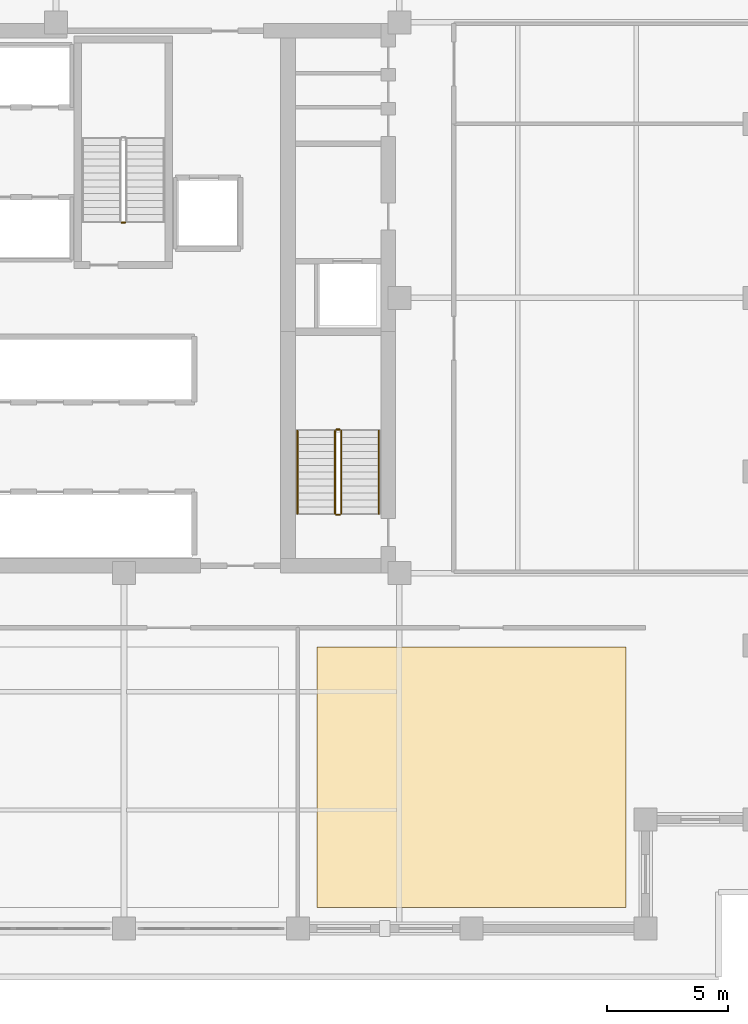
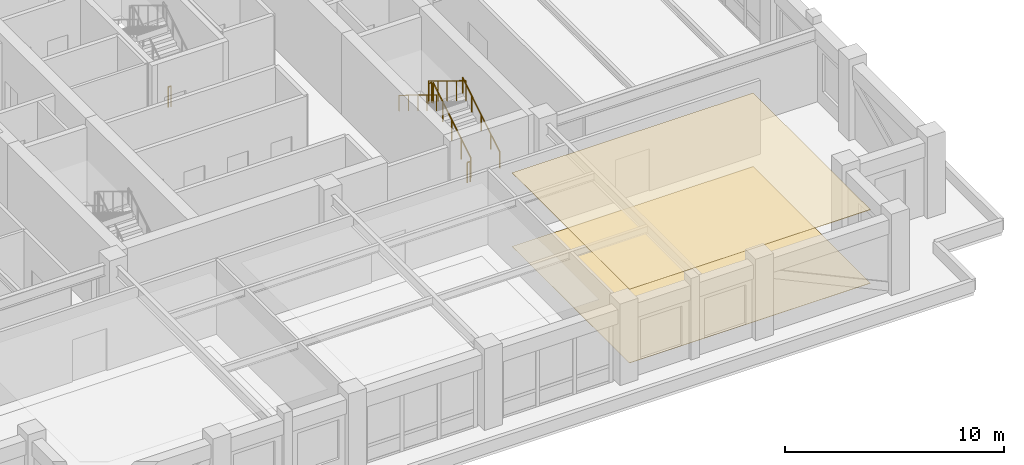
# One storey, part 14 of 16: 7 railings, 2 coverings.
"""IFC4 building model written with IfcOpenShell, lengths in metres."""

import ifcopenshell
import ifcopenshell.guid

model = None  # the IFC model being written
_history = None  # IfcOwnerHistory: only IFC2X3 demands one
_inside = {}  # id of a spatial element -> (the spatial element, [elements in it])
_under = {}  # id of a project, library or spatial element -> (it, [spatial elements below it])
_declared = {}  # id of a project -> (the project, [libraries it declares])
_typed = {}  # id of a type object -> (the type object, [elements of that type])
_made_of = {}  # id of a material, layer set ... -> (it, [elements and type objects made of it])


def new_model(schema):
    """Start an empty IFC model of exactly this schema.

    Asked for "IFC4X3", IfcOpenShell would pick the latest addendum, in which some entities
    have other attributes; the version numbers below select the first issue.
    IFC2X3 requires an IfcOwnerHistory on every rooted entity: one is made here for all.
    """
    global model, _history
    if schema == "IFC4X3":
        model = ifcopenshell.file(schema_version=(4, 3, 0, 0))
    else:
        model = ifcopenshell.file(schema=schema)
    _inside.clear()
    _under.clear()
    _declared.clear()
    _typed.clear()
    _made_of.clear()
    _history = None
    if model.schema == "IFC2X3":
        org = make("IfcOrganization", Name="unknown")
        user = make(
            "IfcPersonAndOrganization",
            ThePerson=make("IfcPerson", FamilyName="unknown"),
            TheOrganization=org,
        )
        app = make(
            "IfcApplication",
            ApplicationDeveloper=org,
            Version="unknown",
            ApplicationFullName="unknown",
            ApplicationIdentifier="unknown",
        )
        _history = make(
            "IfcOwnerHistory",
            OwningUser=user,
            OwningApplication=app,
            ChangeAction="ADDED",
            CreationDate=0,
        )
    return model


def make(cls, **values):
    """One entity of the class cls with the attributes given. An attribute that is None is left unset."""
    return model.create_entity(
        cls, **{name: value for name, value in values.items() if value is not None}
    )


def rooted(cls, **values):
    """An entity with a GlobalId (a new one), such as an element, a storey or a relation."""
    return make(cls, GlobalId=ifcopenshell.guid.new(), OwnerHistory=_history, **values)


def si_unit(unit_type, name, prefix=None):
    """IfcSIUnit, for example si_unit("LENGTHUNIT", "METRE", prefix="MILLI")."""
    return make("IfcSIUnit", UnitType=unit_type, Prefix=prefix, Name=name)


def assignment(units):
    """IfcUnitAssignment: the units of a project."""
    return None if units is None else make("IfcUnitAssignment", Units=units)


def point(xyz):
    """IfcCartesianPoint."""
    return None if xyz is None else make("IfcCartesianPoint", Coordinates=xyz)


def direction(xyz):
    """IfcDirection."""
    return None if xyz is None else make("IfcDirection", DirectionRatios=xyz)


def frame(location, z_axis=None, x_axis=None):
    """IfcAxis2Placement3D, a coordinate frame: its origin and axes. An axis left out is left unset."""
    return make(
        "IfcAxis2Placement3D",
        Location=point(location),
        Axis=direction(z_axis),
        RefDirection=direction(x_axis),
    )


def frame_2d(location, x_axis=None):
    """IfcAxis2Placement2D, a coordinate frame in the plane: its origin and x axis."""
    return make(
        "IfcAxis2Placement2D", Location=point(location), RefDirection=direction(x_axis)
    )


def origin():
    """The frame at (0, 0, 0) with its axes left unset."""
    return frame((0.0, 0.0, 0.0))


def origin_2d():
    """The frame at (0, 0) in the plane with its x axis left unset."""
    return frame_2d((0.0, 0.0))


def place(relative_to, where):
    """IfcLocalPlacement: puts the frame where relative to a parent placement (None: the world)."""
    return make(
        "IfcLocalPlacement", PlacementRelTo=relative_to, RelativePlacement=where
    )


def context(
    kind, dimensions, precision=None, world=None, true_north=None, identifier=None
):
    """IfcGeometricRepresentationContext, for example the 3D "Model" context."""
    return make(
        "IfcGeometricRepresentationContext",
        ContextIdentifier=identifier,
        ContextType=kind,
        CoordinateSpaceDimension=dimensions,
        Precision=precision,
        WorldCoordinateSystem=world,
        TrueNorth=true_north,
    )


def subcontext(parent, identifier, kind, view, scale=None):
    """IfcGeometricRepresentationSubContext, for example "Body" below "Model"."""
    return make(
        "IfcGeometricRepresentationSubContext",
        ContextIdentifier=identifier,
        ContextType=kind,
        ParentContext=parent,
        TargetScale=scale,
        TargetView=view,
    )


def project(units=None, contexts=None):
    """IfcProject with its units and contexts."""
    return rooted(
        "IfcProject",
        Name="project",
        RepresentationContexts=contexts,
        UnitsInContext=assignment(units),
    )


def spatial(cls, under=None, at=None, **own):
    """A site, building, storey or space (cls), placed at a placement, below another one or the project."""
    s = rooted(cls, ObjectPlacement=at, **own)
    if under is not None:
        _under.setdefault(under.id(), (under, []))[1].append(s)
    return s


def polyline(points):
    """IfcPolyline through the points."""
    return make("IfcPolyline", Points=[point(p) for p in points])


def profile(cls, at=None, kind="AREA", **sizes):
    """A parametric profile (cls). Its sizes go by their IFC names, for example OverallWidth=200.0."""
    return make(cls, ProfileType=kind, Position=at, **sizes)


def circle(**sizes):
    """IfcCircleProfileDef."""
    return profile("IfcCircleProfileDef", **sizes)


def outline(outer, holes=None, kind="AREA"):
    """IfcArbitraryClosedProfileDef: a profile drawn as a closed curve; with holes, ...WithVoids."""
    if holes is None:
        return make("IfcArbitraryClosedProfileDef", ProfileType=kind, OuterCurve=outer)
    return make(
        "IfcArbitraryProfileDefWithVoids",
        ProfileType=kind,
        OuterCurve=outer,
        InnerCurves=holes,
    )


def extrude(swept, where, along, depth):
    """IfcExtrudedAreaSolid: the profile swept, set in the frame where, extruded along a direction by depth."""
    return make(
        "IfcExtrudedAreaSolid",
        SweptArea=swept,
        Position=where,
        ExtrudedDirection=direction(along),
        Depth=depth,
    )


def shape(context_of_items, identifier, shape_type, items):
    """IfcShapeRepresentation: the items that make up one representation, for example the "Body"."""
    return make(
        "IfcShapeRepresentation",
        ContextOfItems=context_of_items,
        RepresentationIdentifier=identifier,
        RepresentationType=shape_type,
        Items=items,
    )


def material(Name=None, Category=None):
    """IfcMaterial."""
    return make("IfcMaterial", Name=Name, Category=Category)


def layer(
    of_material, thickness, ventilated=None, Name=None, Category=None, Priority=None
):
    """IfcMaterialLayer: one layer of a wall or slab, of a material (None: an air gap)."""
    return make(
        "IfcMaterialLayer",
        Material=of_material,
        LayerThickness=thickness,
        IsVentilated=ventilated,
        Name=Name,
        Category=Category,
        Priority=Priority,
    )


def layer_set(layers, Name=None):
    """IfcMaterialLayerSet."""
    return make("IfcMaterialLayerSet", MaterialLayers=layers, LayerSetName=Name)


def made_of(thing, what):
    """Note that an element or type object is made of a material, layer set ...; save() writes the relation."""
    if what is not None:
        _made_of.setdefault(what.id(), (what, []))[1].append(thing)
    return thing


def type_object(cls, material=None, **own):
    """A type object (cls), such as IfcWallType, which elements share."""
    return made_of(rooted(cls, **own), material)


def element(
    cls,
    number,
    at=None,
    inside=None,
    cuts=None,
    type_object=None,
    material=None,
    context=None,
    identifier="Body",
    shape_type=None,
    held_by="IfcProductDefinitionShape",
    body=None,
    shapes=None,
    **own,
):
    """One element of the class cls, such as IfcWall. Its Tag is "e" and its number.

    at: its placement. inside: the storey or other place that contains it. cuts: it is an
    opening in that element (IfcRelVoidsElement). A single representation is given by context,
    identifier, shape_type and body (its items); several are given by shapes. held_by: the class
    of the entity that holds the representations. save() writes the other relations.
    """
    e = rooted(cls, Tag="e%d" % number, ObjectPlacement=at, **own)
    if body is not None:
        shapes = [shape(context, identifier, shape_type, body)]
    if shapes is not None:
        e.Representation = make(held_by, Representations=shapes)
    if inside is not None:
        _inside.setdefault(inside.id(), (inside, []))[1].append(e)
    if cuts is not None:
        rooted(
            "IfcRelVoidsElement", RelatingBuildingElement=cuts, RelatedOpeningElement=e
        )
    if type_object is not None:
        _typed.setdefault(type_object.id(), (type_object, []))[1].append(e)
    return made_of(e, material)


def aggregate(whole, parts):
    """IfcRelAggregates: a whole, such as a stair, and the parts it consists of."""
    return rooted("IfcRelAggregates", RelatingObject=whole, RelatedObjects=parts)


def save(model, path):
    """Write the relations noted so far, then the file.

    IfcRelAggregates (storeys below a building ...), IfcRelContainedInSpatialStructure (elements
    in a storey), IfcRelDefinesByType, IfcRelAssociatesMaterial and IfcRelDeclares: one each for
    every whole, place, type object, material and project.
    """
    for whole, parts in _under.values():
        aggregate(whole, parts)
    for where, things in _inside.values():
        rooted(
            "IfcRelContainedInSpatialStructure",
            RelatedElements=things,
            RelatingStructure=where,
        )
    for kind, things in _typed.values():
        rooted("IfcRelDefinesByType", RelatedObjects=things, RelatingType=kind)
    for what, things in _made_of.values():
        rooted("IfcRelAssociatesMaterial", RelatedObjects=things, RelatingMaterial=what)
    for by, libraries in _declared.values():
        rooted("IfcRelDeclares", RelatingContext=by, RelatedDefinitions=libraries)
    model.write(path)


model = new_model("IFC4")

# Units and contexts
model_context = context("Model", 3, precision=1e-05, world=origin(), true_north=direction((0.0, 1.0)))
body_context = subcontext(model_context, "Body", "Model", "MODEL_VIEW")
ifc_project = project(units=[si_unit("LENGTHUNIT", "METRE"), si_unit("AREAUNIT", "SQUARE_METRE"), si_unit("VOLUMEUNIT", "CUBIC_METRE"), si_unit("PLANEANGLEUNIT", "RADIAN"), si_unit("MASSUNIT", "GRAM", prefix="KILO")], contexts=[model_context])

# Site, building, storey
site_placement = place(None, origin())
site = spatial("IfcSite", under=ifc_project, at=site_placement, CompositionType="ELEMENT")
building_placement = place(site_placement, origin())
building = spatial("IfcBuilding", under=site, at=building_placement, Name="Nhamokura Convention Tower", CompositionType="ELEMENT")
storey_placement = place(building_placement, frame((0.0, 0.0, 106.050048828125)))
storey = spatial("IfcBuildingStorey", under=building, at=storey_placement, Name="L25", CompositionType="ELEMENT", Elevation=106.050048828125)

# Covering
ifc_material_1 = material(Name="Mineral-fibre acoustic ceiling tile", Category="gypsum")
ifc_layer_1 = layer(ifc_material_1, 0.02490234375)
ifc_layer_set_1 = layer_set([ifc_layer_1], Name="AcousticTileCeiling_25")
covering_type_1 = type_object("IfcCoveringType", Name="AcousticTileCeiling_25", PredefinedType="CEILING", material=ifc_layer_set_1)
covering_1_placement = place(storey_placement, frame((0.0, 0.0, 4.10498046875)))
element("IfcCovering", 1, at=covering_1_placement, inside=storey, type_object=covering_type_1, Name="L25 Suspended Ceiling 03", PredefinedType="CEILING", context=body_context, shape_type="SweptSolid", body=[
    extrude(outline(polyline([(39.966796875, 6.860107421875), (52.699951171875, 6.860107421875), (52.699951171875, 17.60009765625), (39.966796875, 17.60009765625), (39.966796875, 6.860107421875)])), origin(), (0.0, 0.0, 1.0), 0.02490234375),
])

# Railings
ifc_material_2 = material(Name="Anodised bronze stainless steel", Category="steel")
railing_type_1 = type_object("IfcRailingType", Name="StairWallHandrail_900", PredefinedType="HANDRAIL", material=ifc_material_2)
railing_1_placement = place(storey_placement, frame((42.5, 23.10009765625, 0.175048828125)))
element("IfcRailing", 2, at=railing_1_placement, inside=storey, type_object=railing_type_1, Name="L25 ST-02 stair handrail 1", PredefinedType="HANDRAIL", context=body_context, shape_type="SweptSolid", body=[
    extrude(circle(Radius=0.02392578125, at=origin_2d()), frame((0.0, 0.0, 0.8759765625), z_axis=(0.0, 0.852182171552, 0.523245206847), x_axis=(-1.0, 0.0, 0.0)), (0.0, 0.0, 1.0), 4.01318359375),
    extrude(circle(Radius=0.02099609375, at=origin_2d()), origin(), (0.0, 0.0, 1.0), 0.851806640625),
    extrude(circle(Radius=0.02099609375, at=origin_2d()), frame((0.0, 0.85498046875, 0.52490234375)), (0.0, 0.0, 1.0), 0.851806640625),
    extrude(circle(Radius=0.02099609375, at=origin_2d()), frame((0.0, 1.7099609375, 1.0498046875)), (0.0, 0.0, 1.0), 0.851806640625),
    extrude(circle(Radius=0.02099609375, at=origin_2d()), frame((0.0, 2.56494140625, 1.574951171875)), (0.0, 0.0, 1.0), 0.851806640625),
    extrude(circle(Radius=0.02099609375, at=origin_2d()), frame((0.0, 3.419921875, 2.099853515625)), (0.0, 0.0, 1.0), 0.851806640625),
])
railing_2_placement = place(storey_placement, frame((39.14990234375, 26.52001953125, 2.449951171875)))
element("IfcRailing", 3, at=railing_2_placement, inside=storey, type_object=railing_type_1, Name="L25 ST-02 stair handrail 2", PredefinedType="HANDRAIL", context=body_context, shape_type="SweptSolid", body=[
    extrude(circle(Radius=0.02392578125, at=origin_2d()), frame((0.0, 0.0, 0.8759765625), z_axis=(0.0, -0.852155044755, 0.523289384279), x_axis=(1.0, 0.0, 0.0)), (0.0, 0.0, 1.0), 4.01318359375),
    extrude(circle(Radius=0.02099609375, at=origin_2d()), origin(), (0.0, 0.0, 1.0), 0.851806640625),
    extrude(circle(Radius=0.02099609375, at=origin_2d()), frame((0.0, -0.85498046875, 0.52490234375)), (0.0, 0.0, 1.0), 0.851806640625),
    extrude(circle(Radius=0.02099609375, at=origin_2d()), frame((0.0, -1.7099609375, 1.050048828125)), (0.0, 0.0, 1.0), 0.851806640625),
    extrude(circle(Radius=0.02099609375, at=origin_2d()), frame((0.0, -2.56494140625, 1.5751953125)), (0.0, 0.0, 1.0), 0.851806640625),
    extrude(circle(Radius=0.02099609375, at=origin_2d()), frame((0.0, -3.419921875, 2.10009765625)), (0.0, 0.0, 1.0), 0.851806640625),
])
ifc_material_3 = material(Name="Painted tubular steel", Category="steel")
railing_type_2 = type_object("IfcRailingType", Name="StairWellGuardrail_1150", PredefinedType="GUARDRAIL", material=ifc_material_3)
railing_3_placement = place(storey_placement, frame((40.949951171875, 23.10009765625, 0.175048828125)))
element("IfcRailing", 4, at=railing_3_placement, inside=storey, type_object=railing_type_2, Name="L25 ST-02 stair guard 1", PredefinedType="GUARDRAIL", context=body_context, shape_type="SweptSolid", body=[
    extrude(circle(Radius=0.02392578125, at=origin_2d()), frame((0.0, 0.0, 1.1259765625), z_axis=(0.0, 0.852182171552, 0.523245206847), x_axis=(-1.0, 0.0, 0.0)), (0.0, 0.0, 1.0), 4.01318359375),
    extrude(circle(Radius=0.02099609375, at=origin_2d()), origin(), (0.0, 0.0, 1.0), 1.101806640625),
    extrude(circle(Radius=0.02099609375, at=origin_2d()), frame((0.0, 0.85498046875, 0.52490234375)), (0.0, 0.0, 1.0), 1.101806640625),
    extrude(circle(Radius=0.02099609375, at=origin_2d()), frame((0.0, 1.7099609375, 1.0498046875)), (0.0, 0.0, 1.0), 1.101806640625),
    extrude(circle(Radius=0.02099609375, at=origin_2d()), frame((0.0, 2.56494140625, 1.574951171875)), (0.0, 0.0, 1.0), 1.101806640625),
    extrude(circle(Radius=0.02099609375, at=origin_2d()), frame((0.0, 3.419921875, 2.099853515625)), (0.0, 0.0, 1.0), 1.101806640625),
])
railing_4_placement = place(storey_placement, frame((40.89990234375, 26.570068359375, 2.27490234375)))
element("IfcRailing", 5, at=railing_4_placement, inside=storey, type_object=railing_type_2, Name="L25 ST-02 stair guard 2", PredefinedType="GUARDRAIL", context=body_context, shape_type="SweptSolid", body=[
    extrude(circle(Radius=0.02392578125, at=origin_2d()), frame((0.0, 0.0, 1.1259765625), z_axis=(-1.0, 0.0, 0.0), x_axis=(0.0, -1.0, 0.0)), (0.0, 0.0, 1.0), 0.14990234375),
    extrude(circle(Radius=0.02099609375, at=origin_2d()), origin(), (0.0, 0.0, 1.0), 1.101806640625),
    extrude(circle(Radius=0.02099609375, at=origin_2d()), frame((-0.14990234375, 0.0, 0.0)), (0.0, 0.0, 1.0), 1.101806640625),
])
railing_5_placement = place(storey_placement, frame((40.699951171875, 26.52001953125, 2.449951171875)))
element("IfcRailing", 6, at=railing_5_placement, inside=storey, type_object=railing_type_2, Name="L25 ST-02 stair guard 3", PredefinedType="GUARDRAIL", context=body_context, shape_type="SweptSolid", body=[
    extrude(circle(Radius=0.02392578125, at=origin_2d()), frame((0.0, 0.0, 1.1259765625), z_axis=(0.0, -0.852155044755, 0.523289384279), x_axis=(1.0, 0.0, 0.0)), (0.0, 0.0, 1.0), 4.01318359375),
    extrude(circle(Radius=0.02099609375, at=origin_2d()), origin(), (0.0, 0.0, 1.0), 1.101806640625),
    extrude(circle(Radius=0.02099609375, at=origin_2d()), frame((0.0, -0.85498046875, 0.52490234375)), (0.0, 0.0, 1.0), 1.101806640625),
    extrude(circle(Radius=0.02099609375, at=origin_2d()), frame((0.0, -1.7099609375, 1.050048828125)), (0.0, 0.0, 1.0), 1.101806640625),
    extrude(circle(Radius=0.02099609375, at=origin_2d()), frame((0.0, -2.56494140625, 1.5751953125)), (0.0, 0.0, 1.0), 1.101806640625),
    extrude(circle(Radius=0.02099609375, at=origin_2d()), frame((0.0, -3.419921875, 2.10009765625)), (0.0, 0.0, 1.0), 1.101806640625),
])
railing_6_placement = place(storey_placement, frame((40.89990234375, 23.050048828125, 0.0)))
element("IfcRailing", 7, at=railing_6_placement, inside=storey, type_object=railing_type_2, Name="L25 ST-02 stair guard 4", PredefinedType="GUARDRAIL", context=body_context, shape_type="SweptSolid", body=[
    extrude(circle(Radius=0.02392578125, at=origin_2d()), frame((0.0, 0.0, 1.1259765625), z_axis=(-1.0, 0.0, 0.0), x_axis=(0.0, -1.0, 0.0)), (0.0, 0.0, 1.0), 0.14990234375),
    extrude(circle(Radius=0.02099609375, at=origin_2d()), origin(), (0.0, 0.0, 1.0), 1.101806640625),
    extrude(circle(Radius=0.02099609375, at=origin_2d()), frame((-0.14990234375, 0.0, 0.0)), (0.0, 0.0, 1.0), 1.101806640625),
])
railing_7_placement = place(storey_placement, frame((32.050048828125, 35.10009765625, 0.0)))
element("IfcRailing", 8, at=railing_7_placement, inside=storey, type_object=railing_type_2, Name="L25 ST-03 stair guard 4", PredefinedType="GUARDRAIL", context=body_context, shape_type="SweptSolid", body=[
    extrude(circle(Radius=0.02392578125, at=origin_2d()), frame((0.0, 0.0, 1.1259765625), z_axis=(-1.0, 0.0, 0.0), x_axis=(0.0, -1.0, 0.0)), (0.0, 0.0, 1.0), 0.150146484375),
    extrude(circle(Radius=0.02099609375, at=origin_2d()), origin(), (0.0, 0.0, 1.0), 1.101806640625),
    extrude(circle(Radius=0.02099609375, at=origin_2d()), frame((-0.150146484375, 0.0, 0.0)), (0.0, 0.0, 1.0), 1.101806640625),
])

# Covering
ifc_material_4 = material(Name="Acoustic woven hospitality carpet", Category="wood")
ifc_layer_2 = layer(ifc_material_4, 0.014892578125)
ifc_layer_set_2 = layer_set([ifc_layer_2], Name="WovenCarpetFlooring_15")
covering_type_2 = type_object("IfcCoveringType", Name="WovenCarpetFlooring_15", PredefinedType="FLOORING", material=ifc_layer_set_2)
covering_2_placement = place(storey_placement, origin())
element("IfcCovering", 9, at=covering_2_placement, inside=storey, type_object=covering_type_2, Name="L25 Finish Flooring 03", PredefinedType="FLOORING", context=body_context, shape_type="SweptSolid", body=[
    extrude(outline(polyline([(39.966796875, 6.860107421875), (52.699951171875, 6.860107421875), (52.699951171875, 17.60009765625), (39.966796875, 17.60009765625), (39.966796875, 6.860107421875)])), origin(), (0.0, 0.0, 1.0), 0.014892578125),
])

save(model, "model.ifc")
